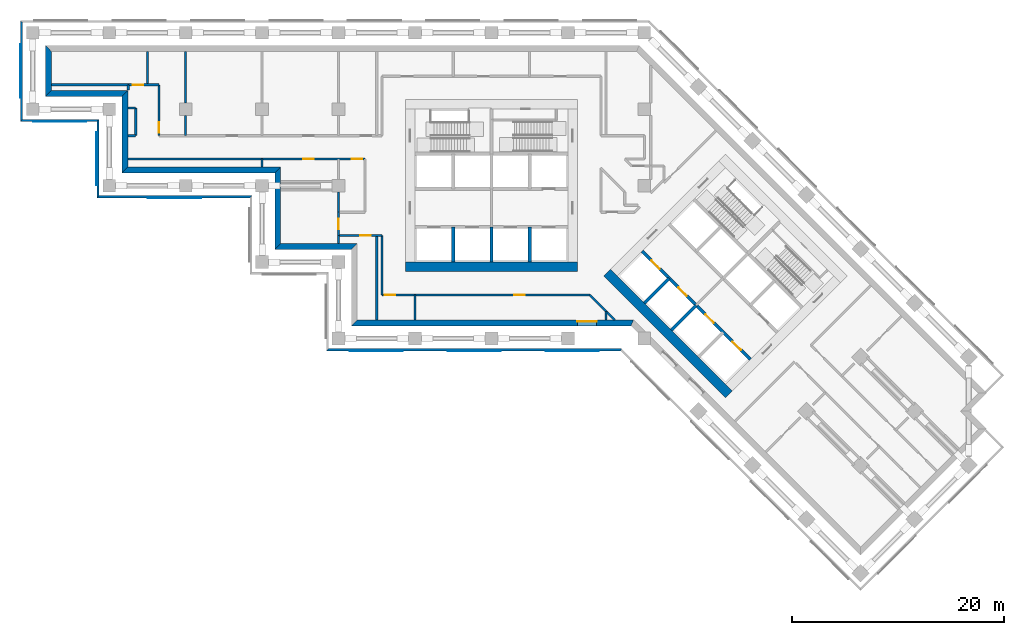
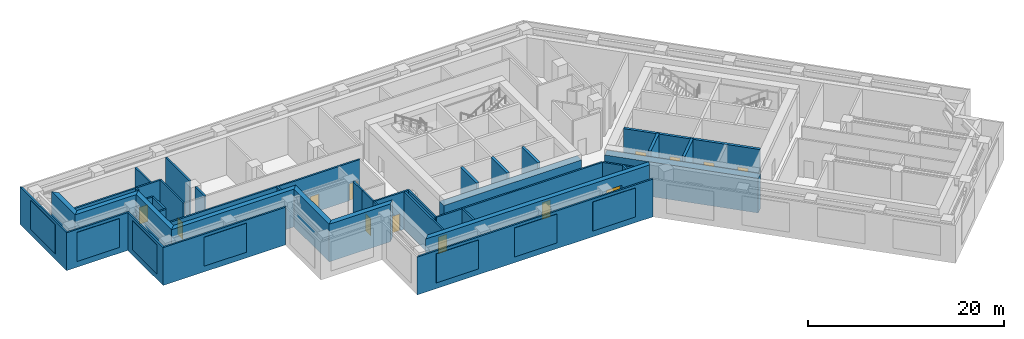
# One storey, part 3 of 8: 42 walls, 12 doors, 7 plates, 1 window, 13 openings.
"""IFC4 building model written with IfcOpenShell, lengths in metres."""

from ifc_helpers import new_model, si_unit, direction, frame, frame_2d, origin, place, context, subcontext, project, spatial, polyline, rectangle, outline, extrude, material, layer, layer_set, type_object, element, fill, aggregate, save


model = new_model("IFC4")

# Units and contexts
model_context = context("Model", 3, precision=1e-05, world=origin(), true_north=direction((0.0, 1.0)))
body_context = subcontext(model_context, "Body", "Model", "MODEL_VIEW")
ifc_project = project(units=[si_unit("LENGTHUNIT", "METRE"), si_unit("AREAUNIT", "SQUARE_METRE"), si_unit("VOLUMEUNIT", "CUBIC_METRE"), si_unit("PLANEANGLEUNIT", "RADIAN"), si_unit("MASSUNIT", "GRAM", prefix="KILO")], contexts=[model_context])

# Plate
ifc_material_1 = material(Name="Aluminium louvre", Category="aluminium")
ifc_layer_1 = layer(ifc_material_1, 0.05)
ifc_layer_set_1 = layer_set([ifc_layer_1], Name="Belt louvre panel 5000x3600")
plate_type = type_object("IfcPlateType", Name="Belt louvre panel 5000x3600", PredefinedType="SHEET", material=ifc_layer_set_1)
site_placement = place(None, origin())
building_placement = place(site_placement, origin())
storey_placement = place(building_placement, frame((0.0, 0.0, 72.0)))
plate_1_placement = place(storey_placement, frame((20.4, 70.9, 0.75), z_axis=(-1.0, 0.0, 0.0), x_axis=(0.0, -1.0, 0.0)))
plate_1 = element("IfcPlate", 1, at=plate_1_placement, type_object=plate_type, Name="Belt louvre panel L19 39.1", PredefinedType="SHEET", context=body_context, shape_type="SweptSolid", body=[
    extrude(outline(polyline([(0.0, 0.0), (5.0, 0.0), (5.0, 3.6), (0.0, 3.6), (0.0, 0.0)])), origin(), (0.0, 0.0, -1.0), 0.05),
])

plate_2_placement = place(storey_placement, frame((21.65, 63.6, 0.75), z_axis=(0.0, -1.0, 0.0), x_axis=(1.0, 0.0, 0.0)))
plate_2 = element("IfcPlate", 2, at=plate_2_placement, type_object=plate_type, Name="Belt louvre panel L19 43.1", PredefinedType="SHEET", context=body_context, shape_type="SweptSolid", body=[
    extrude(outline(polyline([(0.0, 0.0), (5.0, 0.0), (5.0, 3.6), (0.0, 3.6), (0.0, 0.0)])), origin(), (0.0, 0.0, -1.0), 0.05),
])

plate_3_placement = place(storey_placement, frame((27.6, 62.65, 0.75), z_axis=(-1.0, 0.0, 0.0), x_axis=(0.0, -1.0, 0.0)))
plate_3 = element("IfcPlate", 3, at=plate_3_placement, type_object=plate_type, Name="Belt louvre panel L19 47.1", PredefinedType="SHEET", context=body_context, shape_type="SweptSolid", body=[
    extrude(outline(polyline([(0.0, 0.0), (5.0, 0.0), (5.0, 3.6), (0.0, 3.6), (0.0, 0.0)])), origin(), (0.0, 0.0, -1.0), 0.05),
])

plate_4_placement = place(storey_placement, frame((32.45, 56.4, 0.75), z_axis=(0.0, -1.0, 0.0), x_axis=(1.0, 0.0, 0.0)))
plate_4 = element("IfcPlate", 4, at=plate_4_placement, type_object=plate_type, Name="Belt louvre panel L19 51.1", PredefinedType="SHEET", context=body_context, shape_type="SweptSolid", body=[
    extrude(outline(polyline([(0.0, 0.0), (5.0, 0.0), (5.0, 3.6), (0.0, 3.6), (0.0, 0.0)])), origin(), (0.0, 0.0, -1.0), 0.05),
])

plate_5_placement = place(storey_placement, frame((51.4613, 42.0, 0.75), z_axis=(0.0, -1.0, 0.0), x_axis=(1.0, 0.0, 0.0)))
plate_5 = element("IfcPlate", 5, at=plate_5_placement, type_object=plate_type, Name="Belt louvre panel L19 69.1", PredefinedType="SHEET", context=body_context, shape_type="SweptSolid", body=[
    extrude(outline(polyline([(0.0, 0.0), (5.0, 0.0), (5.0, 3.6), (0.0, 3.6), (0.0, 0.0)])), origin(), (0.0, 0.0, -1.0), 0.05),
])

plate_6_placement = place(storey_placement, frame((60.684, 42.0, 0.75), z_axis=(0.0, -1.0, 0.0), x_axis=(1.0, 0.0, 0.0)))
plate_6 = element("IfcPlate", 6, at=plate_6_placement, type_object=plate_type, Name="Belt louvre panel L19 70.2", PredefinedType="SHEET", context=body_context, shape_type="SweptSolid", body=[
    extrude(outline(polyline([(0.0, 0.0), (5.0, 0.0), (5.0, 3.6), (0.0, 3.6), (0.0, 0.0)])), origin(), (0.0, 0.0, -1.0), 0.05),
])

plate_7_placement = place(storey_placement, frame((69.9067, 42.0, 0.75), z_axis=(0.0, -1.0, 0.0), x_axis=(1.0, 0.0, 0.0)))
plate_7 = element("IfcPlate", 7, at=plate_7_placement, type_object=plate_type, Name="Belt louvre panel L19 71.3", PredefinedType="SHEET", context=body_context, shape_type="SweptSolid", body=[
    extrude(outline(polyline([(0.0, 0.0), (5.0, 0.0), (5.0, 3.6), (0.0, 3.6), (0.0, 0.0)])), origin(), (0.0, 0.0, -1.0), 0.05),
])

# Site, building, storey
site = spatial("IfcSite", under=ifc_project, at=site_placement, CompositionType="ELEMENT")
building = spatial("IfcBuilding", under=site, at=building_placement, Name="Windrow Commons", CompositionType="ELEMENT")
storey = spatial("IfcBuildingStorey", under=building, at=storey_placement, Name="L19", CompositionType="ELEMENT", Elevation=72.0)

# Wall
ifc_material_2 = material(Name="Concrete C40/50 precast screen panel", Category="concrete")
ifc_layer_2 = layer(ifc_material_2, 0.2)
ifc_layer_set_2 = layer_set([ifc_layer_2], Name="Belt screen wall 200")
wall_type_1 = type_object("IfcWallType", Name="Belt screen wall 200", PredefinedType="SOLIDWALL", material=ifc_layer_set_2)
wall_1_placement = place(storey_placement, frame((20.55, 73.05, 0.0), z_axis=(0.0, 0.0, 1.0), x_axis=(0.0, -1.0, 0.0)))
wall_1 = element("IfcWall", 8, at=wall_1_placement, inside=storey, type_object=wall_type_1, Name="Belt screen wall L19 39", PredefinedType="SOLIDWALL", context=body_context, shape_type="SweptSolid", body=[
    extrude(outline(polyline([(-0.1, -0.1), (9.4, -0.1), (9.2, 0.1), (0.1, 0.1), (-0.1, -0.1)])), origin(), (0.0, 0.0, 1.0), 4.7),
])

aggregate(wall_1, [plate_1])

wall_2_placement = place(storey_placement, frame((20.55, 63.75, 0.0), z_axis=(0.0, 0.0, 1.0), x_axis=(1.0, 0.0, 0.0)))
wall_2 = element("IfcWall", 9, at=wall_2_placement, inside=storey, type_object=wall_type_1, Name="Belt screen wall L19 43", PredefinedType="SOLIDWALL", context=body_context, shape_type="SweptSolid", body=[
    extrude(outline(polyline([(-0.1, -0.1), (7.1, -0.1), (7.3, 0.1), (0.1, 0.1), (-0.1, -0.1)])), origin(), (0.0, 0.0, 1.0), 4.7),
])

aggregate(wall_2, [plate_2])

wall_3_placement = place(storey_placement, frame((27.75, 63.75, 0.0), z_axis=(0.0, 0.0, 1.0), x_axis=(0.0, -1.0, 0.0)))
wall_3 = element("IfcWall", 10, at=wall_3_placement, inside=storey, type_object=wall_type_1, Name="Belt screen wall L19 47", PredefinedType="SOLIDWALL", context=body_context, shape_type="SweptSolid", body=[
    extrude(outline(polyline([(0.1, -0.1), (7.3, -0.1), (7.1, 0.1), (-0.1, 0.1), (0.1, -0.1)])), origin(), (0.0, 0.0, 1.0), 4.7),
])

aggregate(wall_3, [plate_3])

wall_4_placement = place(storey_placement, frame((27.75, 56.55, 0.0), z_axis=(0.0, 0.0, 1.0), x_axis=(1.0, 0.0, 0.0)))
wall_4 = element("IfcWall", 11, at=wall_4_placement, inside=storey, type_object=wall_type_1, Name="Belt screen wall L19 51", PredefinedType="SOLIDWALL", context=body_context, shape_type="SweptSolid", body=[
    extrude(outline(polyline([(-0.1, -0.1), (14.3, -0.1), (14.5, 0.1), (0.1, 0.1), (-0.1, -0.1)])), origin(), (0.0, 0.0, 1.0), 4.7),
])

aggregate(wall_4, [plate_4])

wall_5_placement = place(storey_placement, frame((49.35, 42.15, 0.0), z_axis=(0.0, 0.0, 1.0), x_axis=(1.0, 0.0, 0.0)))
wall_5 = element("IfcWall", 12, at=wall_5_placement, inside=storey, type_object=wall_type_1, Name="Belt screen wall L19 69", PredefinedType="SOLIDWALL", context=body_context, shape_type="SweptSolid", body=[
    extrude(outline(polyline([(-0.1, -0.1), (27.6266, -0.1), (27.7095, 0.1), (0.1, 0.1), (-0.1, -0.1)])), origin(), (0.0, 0.0, 1.0), 4.7),
])

aggregate(wall_5, [plate_5, plate_6, plate_7])

# Walls
ifc_material_3 = material(Name="Brick masonry, red clay brick", Category="masonry")
ifc_layer_3 = layer(ifc_material_3, 0.55)
ifc_layer_set_3 = layer_set([ifc_layer_3], Name="Brick facade wall 550")
wall_type_2 = type_object("IfcWallType", Name="Brick facade wall 550", PredefinedType="SOLIDWALL", material=ifc_layer_set_3)
wall_6_placement = place(storey_placement, frame((23.075, 70.525, 0.0), z_axis=(0.0, 0.0, 1.0), x_axis=(0.0, -1.0, 0.0)))
element("IfcWall", 13, at=wall_6_placement, inside=storey, type_object=wall_type_2, Name="Brick facade wall L19 5", PredefinedType="SOLIDWALL", context=body_context, shape_type="SweptSolid", body=[
    extrude(outline(polyline([(-0.275, -0.275), (4.525, -0.275), (3.975, 0.275), (0.275, 0.275), (-0.275, -0.275)])), origin(), (0.0, 0.0, 1.0), 4.7),
])
wall_7_placement = place(storey_placement, frame((23.075, 66.275, 0.0), z_axis=(0.0, 0.0, 1.0), x_axis=(1.0, 0.0, 0.0)))
element("IfcWall", 14, at=wall_7_placement, inside=storey, type_object=wall_type_2, Name="Brick facade wall L19 6", PredefinedType="SOLIDWALL", context=body_context, shape_type="SweptSolid", body=[
    extrude(outline(polyline([(-0.275, -0.275), (6.925, -0.275), (7.475, 0.275), (0.275, 0.275), (-0.275, -0.275)])), origin(), (0.0, 0.0, 1.0), 4.7),
])
wall_8_placement = place(storey_placement, frame((30.275, 66.275, 0.0), z_axis=(0.0, 0.0, 1.0), x_axis=(0.0, -1.0, 0.0)))
element("IfcWall", 15, at=wall_8_placement, inside=storey, type_object=wall_type_2, Name="Brick facade wall L19 7", PredefinedType="SOLIDWALL", context=body_context, shape_type="SweptSolid", body=[
    extrude(outline(polyline([(0.275, -0.275), (7.475, -0.275), (6.925, 0.275), (-0.275, 0.275), (0.275, -0.275)])), origin(), (0.0, 0.0, 1.0), 4.7),
])
wall_9_placement = place(storey_placement, frame((30.275, 59.075, 0.0), z_axis=(0.0, 0.0, 1.0), x_axis=(1.0, 0.0, 0.0)))
element("IfcWall", 16, at=wall_9_placement, inside=storey, type_object=wall_type_2, Name="Brick facade wall L19 8", PredefinedType="SOLIDWALL", context=body_context, shape_type="SweptSolid", body=[
    extrude(outline(polyline([(-0.275, -0.275), (14.125, -0.275), (14.675, 0.275), (0.275, 0.275), (-0.275, -0.275)])), origin(), (0.0, 0.0, 1.0), 4.7),
])
wall_10_placement = place(storey_placement, frame((44.675, 59.075, 0.0), z_axis=(0.0, 0.0, 1.0), x_axis=(0.0, -1.0, 0.0)))
element("IfcWall", 17, at=wall_10_placement, inside=storey, type_object=wall_type_2, Name="Brick facade wall L19 9", PredefinedType="SOLIDWALL", context=body_context, shape_type="SweptSolid", body=[
    extrude(outline(polyline([(0.275, -0.275), (7.475, -0.275), (6.925, 0.275), (-0.275, 0.275), (0.275, -0.275)])), origin(), (0.0, 0.0, 1.0), 4.7),
])
wall_11_placement = place(storey_placement, frame((44.675, 51.875, 0.0), z_axis=(0.0, 0.0, 1.0), x_axis=(1.0, 0.0, 0.0)))
element("IfcWall", 18, at=wall_11_placement, inside=storey, type_object=wall_type_2, Name="Brick facade wall L19 10", PredefinedType="SOLIDWALL", context=body_context, shape_type="SweptSolid", body=[
    extrude(outline(polyline([(-0.275, -0.275), (6.925, -0.275), (7.475, 0.275), (0.275, 0.275), (-0.275, -0.275)])), origin(), (0.0, 0.0, 1.0), 4.7),
])

# Wall, opening, window
wall_12_placement = place(storey_placement, frame((51.875, 44.675, 0.0), z_axis=(0.0, 0.0, 1.0), x_axis=(1.0, 0.0, 0.0)))
wall_12 = element("IfcWall", 19, at=wall_12_placement, inside=storey, type_object=wall_type_2, Name="Brick facade wall L19 12", PredefinedType="SOLIDWALL", context=body_context, shape_type="SweptSolid", body=[
    extrude(outline(polyline([(-0.275, -0.275), (26.075, -0.275), (26.3028, 0.275), (0.275, 0.275), (-0.275, -0.275)])), origin(), (0.0, 0.0, 1.0), 4.7),
])
opening_1_placement = place(wall_12_placement, frame((21.025, 0.0, 0.9)))
opening_1 = element("IfcOpeningElement", 20, at=opening_1_placement, cuts=wall_12, Name="Opening LV1", PredefinedType="OPENING", context=body_context, shape_type="SweptSolid", body=[
    extrude(rectangle(XDim=1.8, YDim=2.4, at=frame_2d((0.9, 1.2))), frame((0.0, 0.285, 0.0), z_axis=(0.0, -1.0, 0.0), x_axis=(1.0, 0.0, 0.0)), (0.0, 0.0, 1.0), 0.57),
])
ifc_material_4 = material(Name="Aluminium 6063-T6 anodised louvre", Category="aluminium")
window_type = type_object("IfcWindowType", Name="Plant louvre 1800x2400", PartitioningType="SINGLE_PANEL", PredefinedType="WINDOW", material=ifc_material_4)
window_placement = place(opening_1_placement, origin())
window = element("IfcWindow", 21, at=window_placement, inside=storey, type_object=window_type, Name="Louvre L19 12.1", OverallHeight=2.4, OverallWidth=1.8, PartitioningType="SINGLE_PANEL", PredefinedType="WINDOW", context=body_context, shape_type="SweptSolid", body=[
    extrude(rectangle(XDim=1.8, YDim=2.4, at=frame_2d((0.9, 1.2))), frame((0.0, 0.155, 0.0), z_axis=(0.0, -1.0, 0.0), x_axis=(1.0, 0.0, 0.0)), (0.0, 0.0, 1.0), 0.06),
])
fill(opening_1, window)

# Wall, openings, doors
ifc_material_5 = material(Name="Blockwork partition", Category="masonry")
ifc_layer_4 = layer(ifc_material_5, 0.2)
ifc_layer_set_4 = layer_set([ifc_layer_4], Name="IW-CORRIDOR-200")
wall_type_3 = type_object("IfcWallType", Name="IW-CORRIDOR-200", PredefinedType="PARTITIONING", material=ifc_layer_set_4)
wall_13_placement = place(storey_placement, frame((30.55, 60.1, 0.0), z_axis=(0.0, 0.0, 1.0), x_axis=(1.0, 0.0, 0.0)))
wall_13 = element("IfcWall", 22, at=wall_13_placement, inside=storey, type_object=wall_type_3, Name="W-L19-W000", PredefinedType="PARTITIONING", context=body_context, shape_type="SweptSolid", body=[
    extrude(rectangle(XDim=22.35, YDim=0.2, at=frame_2d((11.175, 0.0))), origin(), (0.0, 0.0, 1.0), 4.7),
])
opening_2_placement = place(wall_13_placement, frame((16.5125, 0.0, 0.0)))
opening_2 = element("IfcOpeningElement", 23, at=opening_2_placement, cuts=wall_13, Name="Opening D410F", PredefinedType="OPENING", context=body_context, shape_type="SweptSolid", body=[
    extrude(rectangle(XDim=1.0, YDim=2.1, at=frame_2d((0.5, 1.05))), frame((0.0, 0.11, 0.0), z_axis=(0.0, -1.0, 0.0), x_axis=(1.0, 0.0, 0.0)), (0.0, 0.0, 1.0), 0.22),
])
opening_3_placement = place(wall_13_placement, frame((21.0971, 0.0, 0.0)))
opening_3 = element("IfcOpeningElement", 24, at=opening_3_placement, cuts=wall_13, Name="Opening D410F", PredefinedType="OPENING", context=body_context, shape_type="SweptSolid", body=[
    extrude(rectangle(XDim=1.0, YDim=2.1, at=frame_2d((0.5, 1.05))), frame((0.0, 0.11, 0.0), z_axis=(0.0, -1.0, 0.0), x_axis=(1.0, 0.0, 0.0)), (0.0, 0.0, 1.0), 0.22),
])
ifc_material_6 = material(Name="Timber door leaf", Category="wood")
door_type_1 = type_object("IfcDoorType", Name="DT-SERVICE-1000", OperationType="SINGLE_SWING_LEFT", PredefinedType="DOOR", material=ifc_material_6)
door_1_placement = place(opening_2_placement, origin())
door_1 = element("IfcDoor", 25, at=door_1_placement, inside=storey, type_object=door_type_1, Name="D-L19-D000", OperationType="SINGLE_SWING_LEFT", OverallHeight=2.1, OverallWidth=1.0, PredefinedType="DOOR", context=body_context, shape_type="SweptSolid", body=[
    extrude(rectangle(XDim=1.0, YDim=2.1, at=frame_2d((0.5, 1.05))), frame((0.0, 0.025, 0.0), z_axis=(0.0, -1.0, 0.0), x_axis=(1.0, 0.0, 0.0)), (0.0, 0.0, 1.0), 0.05),
])
fill(opening_2, door_1)
door_2_placement = place(opening_3_placement, origin())
door_2 = element("IfcDoor", 26, at=door_2_placement, inside=storey, type_object=door_type_1, Name="D-L19-D001", OperationType="SINGLE_SWING_LEFT", OverallHeight=2.1, OverallWidth=1.0, PredefinedType="DOOR", context=body_context, shape_type="SweptSolid", body=[
    extrude(rectangle(XDim=1.0, YDim=2.1, at=frame_2d((0.5, 1.05))), frame((0.0, 0.025, 0.0), z_axis=(0.0, -1.0, 0.0), x_axis=(1.0, 0.0, 0.0)), (0.0, 0.0, 1.0), 0.05),
])
fill(opening_3, door_2)

wall_14_placement = place(storey_placement, frame((54.5, 47.3, 0.0), z_axis=(0.0, 0.0, 1.0), x_axis=(1.0, 0.0, 0.0)))
wall_14 = element("IfcWall", 27, at=wall_14_placement, inside=storey, type_object=wall_type_3, Name="W-L19-W003", PredefinedType="PARTITIONING", context=body_context, shape_type="SweptSolid", body=[
    extrude(rectangle(XDim=19.56, YDim=0.2, at=frame_2d((9.78, 0.0))), origin(), (0.0, 0.0, 1.0), 4.7),
])
opening_4_placement = place(wall_14_placement, frame((0.2434, 0.0, 0.0)))
opening_4 = element("IfcOpeningElement", 28, at=opening_4_placement, cuts=wall_14, Name="Opening D410F", PredefinedType="OPENING", context=body_context, shape_type="SweptSolid", body=[
    extrude(rectangle(XDim=1.0, YDim=2.1, at=frame_2d((0.5, 1.05))), frame((0.0, 0.11, 0.0), z_axis=(0.0, -1.0, 0.0), x_axis=(1.0, 0.0, 0.0)), (0.0, 0.0, 1.0), 0.22),
])
opening_5_placement = place(wall_14_placement, frame((12.4573, 0.0, 0.0)))
opening_5 = element("IfcOpeningElement", 29, at=opening_5_placement, cuts=wall_14, Name="Opening D410F", PredefinedType="OPENING", context=body_context, shape_type="SweptSolid", body=[
    extrude(rectangle(XDim=1.0, YDim=2.1, at=frame_2d((0.5, 1.05))), frame((0.0, 0.11, 0.0), z_axis=(0.0, -1.0, 0.0), x_axis=(1.0, 0.0, 0.0)), (0.0, 0.0, 1.0), 0.22),
])
door_3_placement = place(opening_4_placement, origin())
door_3 = element("IfcDoor", 30, at=door_3_placement, inside=storey, type_object=door_type_1, Name="D-L19-D003", OperationType="SINGLE_SWING_RIGHT", OverallHeight=2.1, OverallWidth=1.0, PredefinedType="DOOR", context=body_context, shape_type="SweptSolid", body=[
    extrude(rectangle(XDim=1.0, YDim=2.1, at=frame_2d((0.5, 1.05))), frame((0.0, 0.025, 0.0), z_axis=(0.0, -1.0, 0.0), x_axis=(1.0, 0.0, 0.0)), (0.0, 0.0, 1.0), 0.05),
])
fill(opening_4, door_3)
door_4_placement = place(opening_5_placement, origin())
door_4 = element("IfcDoor", 31, at=door_4_placement, inside=storey, type_object=door_type_1, Name="D-L19-D004", OperationType="SINGLE_SWING_LEFT", OverallHeight=2.1, OverallWidth=1.0, PredefinedType="DOOR", context=body_context, shape_type="SweptSolid", body=[
    extrude(rectangle(XDim=1.0, YDim=2.1, at=frame_2d((0.5, 1.05))), frame((0.0, 0.025, 0.0), z_axis=(0.0, -1.0, 0.0), x_axis=(1.0, 0.0, 0.0)), (0.0, 0.0, 1.0), 0.05),
])
fill(opening_5, door_4)

# Wall
wall_15_placement = place(storey_placement, frame((54.5, 47.3, 0.0), z_axis=(0.0, 0.0, 1.0), x_axis=(0.0, 1.0, 0.0)))
element("IfcWall", 32, at=wall_15_placement, inside=storey, type_object=wall_type_3, Name="W-L19-W015", PredefinedType="PARTITIONING", context=body_context, shape_type="SweptSolid", body=[
    extrude(rectangle(XDim=5.6, YDim=0.2, at=frame_2d((2.8, 0.0))), origin(), (0.0, 0.0, 1.0), 4.7),
])

# Wall, opening, door
wall_16_placement = place(storey_placement, frame((33.5, 62.302, 0.0), z_axis=(0.0, 0.0, 1.0), x_axis=(0.0, 1.0, 0.0)))
wall_16 = element("IfcWall", 33, at=wall_16_placement, inside=storey, type_object=wall_type_3, Name="W-L19-W026", PredefinedType="PARTITIONING", context=body_context, shape_type="SweptSolid", body=[
    extrude(rectangle(XDim=4.798, YDim=0.2, at=frame_2d((2.399, 0.0))), origin(), (0.0, 0.0, 1.0), 4.7),
])
opening_6_placement = place(wall_16_placement, frame((0.2621, 0.0, 0.0)))
opening_6 = element("IfcOpeningElement", 34, at=opening_6_placement, cuts=wall_16, Name="Opening D410F", PredefinedType="OPENING", context=body_context, shape_type="SweptSolid", body=[
    extrude(rectangle(XDim=1.0, YDim=2.1, at=frame_2d((0.5, 1.05))), frame((0.0, 0.11, 0.0), z_axis=(0.0, -1.0, 0.0), x_axis=(1.0, 0.0, 0.0)), (0.0, 0.0, 1.0), 0.22),
])
door_5_placement = place(opening_6_placement, origin())
door_5 = element("IfcDoor", 35, at=door_5_placement, inside=storey, type_object=door_type_1, Name="D-L19-D007", OperationType="SINGLE_SWING_LEFT", OverallHeight=2.1, OverallWidth=1.0, PredefinedType="DOOR", context=body_context, shape_type="SweptSolid", body=[
    extrude(rectangle(XDim=1.0, YDim=2.1, at=frame_2d((0.5, 1.05))), frame((0.0, 0.025, 0.0), z_axis=(0.0, -1.0, 0.0), x_axis=(1.0, 0.0, 0.0)), (0.0, 0.0, 1.0), 0.05),
])
fill(opening_6, door_5)

wall_17_placement = place(storey_placement, frame((50.4, 52.9, 0.0), z_axis=(0.0, 0.0, 1.0), x_axis=(1.0, 0.0, 0.0)))
wall_17 = element("IfcWall", 36, at=wall_17_placement, inside=storey, type_object=wall_type_3, Name="W-L19-W031", PredefinedType="PARTITIONING", context=body_context, shape_type="SweptSolid", body=[
    extrude(rectangle(XDim=4.1, YDim=0.2, at=frame_2d((2.05, 0.0))), origin(), (0.0, 0.0, 1.0), 4.7),
])
opening_7_placement = place(wall_17_placement, frame((2.0325, 0.0, 0.0)))
opening_7 = element("IfcOpeningElement", 37, at=opening_7_placement, cuts=wall_17, Name="Opening D410F", PredefinedType="OPENING", context=body_context, shape_type="SweptSolid", body=[
    extrude(rectangle(XDim=1.0, YDim=2.1, at=frame_2d((0.5, 1.05))), frame((0.0, 0.11, 0.0), z_axis=(0.0, -1.0, 0.0), x_axis=(1.0, 0.0, 0.0)), (0.0, 0.0, 1.0), 0.22),
])
door_6_placement = place(opening_7_placement, origin())
door_6 = element("IfcDoor", 38, at=door_6_placement, inside=storey, type_object=door_type_1, Name="D-L19-D002", OperationType="SINGLE_SWING_LEFT", OverallHeight=2.1, OverallWidth=1.0, PredefinedType="DOOR", context=body_context, shape_type="SweptSolid", body=[
    extrude(rectangle(XDim=1.0, YDim=2.1, at=frame_2d((0.5, 1.05))), frame((0.0, 0.025, 0.0), z_axis=(0.0, -1.0, 0.0), x_axis=(1.0, 0.0, 0.0)), (0.0, 0.0, 1.0), 0.05),
])
fill(opening_7, door_6)

# Wall
wall_18_placement = place(storey_placement, frame((74.0568, 47.2968, 0.0), z_axis=(0.0, 0.0, 1.0), x_axis=(0.707121846, -0.707091716, 0.0)))
element("IfcWall", 39, at=wall_18_placement, inside=storey, type_object=wall_type_3, Name="W-L19-W038", PredefinedType="PARTITIONING", context=body_context, shape_type="SweptSolid", body=[
    extrude(rectangle(XDim=3.3189, YDim=0.2, at=frame_2d((1.6595, 0.0))), origin(), (0.0, 0.0, 1.0), 4.7),
])

# Wall, opening, door
wall_19_placement = place(storey_placement, frame((30.6, 67.1, 0.0), z_axis=(0.0, 0.0, 1.0), x_axis=(1.0, 0.0, 0.0)))
wall_19 = element("IfcWall", 40, at=wall_19_placement, inside=storey, type_object=wall_type_3, Name="W-L19-W045", PredefinedType="PARTITIONING", context=body_context, shape_type="SweptSolid", body=[
    extrude(rectangle(XDim=2.9, YDim=0.2, at=frame_2d((1.45, 0.0))), origin(), (0.0, 0.0, 1.0), 4.7),
])
opening_8_placement = place(wall_19_placement, frame((0.4, 0.0, 0.0)))
opening_8 = element("IfcOpeningElement", 41, at=opening_8_placement, cuts=wall_19, Name="Opening D410F", PredefinedType="OPENING", context=body_context, shape_type="SweptSolid", body=[
    extrude(rectangle(XDim=1.0, YDim=2.1, at=frame_2d((0.5, 1.05))), frame((0.0, 0.11, 0.0), z_axis=(0.0, -1.0, 0.0), x_axis=(1.0, 0.0, 0.0)), (0.0, 0.0, 1.0), 0.22),
])
door_7_placement = place(opening_8_placement, origin())
door_7 = element("IfcDoor", 42, at=door_7_placement, inside=storey, type_object=door_type_1, Name="D-L19-D006", OperationType="SINGLE_SWING_RIGHT", OverallHeight=2.1, OverallWidth=1.0, PredefinedType="DOOR", context=body_context, shape_type="SweptSolid", body=[
    extrude(rectangle(XDim=1.0, YDim=2.1, at=frame_2d((0.5, 1.05))), frame((0.0, 0.025, 0.0), z_axis=(0.0, -1.0, 0.0), x_axis=(1.0, 0.0, 0.0)), (0.0, 0.0, 1.0), 0.05),
])
fill(opening_8, door_7)

# Wall
wall_20_placement = place(storey_placement, frame((31.3, 62.302, 0.0), z_axis=(0.0, 0.0, 1.0), x_axis=(0.0, 1.0, 0.0)))
element("IfcWall", 43, at=wall_20_placement, inside=storey, type_object=wall_type_3, Name="W-L19-W046", PredefinedType="PARTITIONING", context=body_context, shape_type="SweptSolid", body=[
    extrude(rectangle(XDim=2.598, YDim=0.2, at=frame_2d((1.299, 0.0))), origin(), (0.0, 0.0, 1.0), 4.7),
])

# Wall, opening, door
wall_21_placement = place(storey_placement, frame((50.4, 52.9, 0.0), z_axis=(0.0, 0.0, 1.0), x_axis=(0.0, 1.0, 0.0)))
wall_21 = element("IfcWall", 44, at=wall_21_placement, inside=storey, type_object=wall_type_3, Name="W-L19-W051", PredefinedType="PARTITIONING", context=body_context, shape_type="SweptSolid", body=[
    extrude(rectangle(XDim=2.2, YDim=0.2, at=frame_2d((1.1, 0.0))), origin(), (0.0, 0.0, 1.0), 4.7),
])
opening_9_placement = place(wall_21_placement, frame((0.6, 0.0, 0.0)))
opening_9 = element("IfcOpeningElement", 45, at=opening_9_placement, cuts=wall_21, Name="Opening D310N", PredefinedType="OPENING", context=body_context, shape_type="SweptSolid", body=[
    extrude(rectangle(XDim=1.0, YDim=2.1, at=frame_2d((0.5, 1.05))), frame((0.0, 0.11, 0.0), z_axis=(0.0, -1.0, 0.0), x_axis=(1.0, 0.0, 0.0)), (0.0, 0.0, 1.0), 0.22),
])
ifc_material_7 = material(Name="Timber door leaf", Category="wood")
door_type_2 = type_object("IfcDoorType", Name="DT-AMENITY-1000", OperationType="SINGLE_SWING_LEFT", PredefinedType="DOOR", material=ifc_material_7)
door_8_placement = place(opening_9_placement, origin())
door_8 = element("IfcDoor", 46, at=door_8_placement, inside=storey, type_object=door_type_2, Name="D-L19-DX01", OperationType="SINGLE_SWING_LEFT", OverallHeight=2.1, OverallWidth=1.0, PredefinedType="DOOR", context=body_context, shape_type="SweptSolid", body=[
    extrude(rectangle(XDim=1.0, YDim=2.1, at=frame_2d((0.5, 1.05))), frame((0.0, 0.025, 0.0), z_axis=(0.0, -1.0, 0.0), x_axis=(1.0, 0.0, 0.0)), (0.0, 0.0, 1.0), 0.05),
])
fill(opening_9, door_8)

# Walls
for number, where, z_axis, x_axis, name in (
    (47, (30.55, 62.3, 0.0), (0.0, 0.0, 1.0), (1.0, 0.0, 0.0), "W-L19-W079"),
    (48, (30.55, 64.9, 0.0), (0.0, 0.0, 1.0), (1.0, 0.0, 0.0), "W-L19-W080"),
):
    element("IfcWall", number, at=place(storey_placement, frame(where, z_axis=z_axis, x_axis=x_axis)), inside=storey, type_object=wall_type_3, Name=name, PredefinedType="PARTITIONING", context=body_context, shape_type="SweptSolid", body=[
        extrude(rectangle(XDim=0.75, YDim=0.2, at=frame_2d((0.375, 0.0))), origin(), (0.0, 0.0, 1.0), 4.7),
    ])
wall_22_placement = place(storey_placement, frame((30.6, 66.612, 0.0), z_axis=(0.0, 0.0, 1.0), x_axis=(0.0, 1.0, 0.0)))
element("IfcWall", 49, at=wall_22_placement, inside=storey, type_object=wall_type_3, Name="W-L19-W082", PredefinedType="PARTITIONING", context=body_context, shape_type="SweptSolid", body=[
    extrude(rectangle(XDim=0.488, YDim=0.2, at=frame_2d((0.244, 0.0))), origin(), (0.0, 0.0, 1.0), 4.7),
])
ifc_material_8 = material(Name="Blockwork partition", Category="masonry")
ifc_layer_5 = layer(ifc_material_8, 0.2)
ifc_layer_set_5 = layer_set([ifc_layer_5], Name="IW-PARTY-200")
wall_type_4 = type_object("IfcWallType", Name="IW-PARTY-200", PredefinedType="PARTITIONING", material=ifc_layer_set_5)
wall_23_placement = place(storey_placement, frame((54.0, 44.95, 0.0), z_axis=(0.0, 0.0, 1.0), x_axis=(0.0, 1.0, 0.0)))
element("IfcWall", 50, at=wall_23_placement, inside=storey, type_object=wall_type_4, Name="W-L19-W006", PredefinedType="PARTITIONING", context=body_context, shape_type="SweptSolid", body=[
    extrude(rectangle(XDim=7.95, YDim=0.2, at=frame_2d((3.975, 0.0))), origin(), (0.0, 0.0, 1.0), 4.7),
])
wall_24_placement = place(storey_placement, frame((23.35, 67.1, 0.0), z_axis=(0.0, 0.0, 1.0), x_axis=(1.0, 0.0, 0.0)))
element("IfcWall", 51, at=wall_24_placement, inside=storey, type_object=wall_type_4, Name="W-L19-W010", PredefinedType="PARTITIONING", context=body_context, shape_type="SweptSolid", body=[
    extrude(rectangle(XDim=7.25, YDim=0.2, at=frame_2d((3.625, 0.0))), origin(), (0.0, 0.0, 1.0), 4.7),
])
wall_25_placement = place(storey_placement, frame((36.0, 65.4, 0.0), z_axis=(0.0, 0.0, 1.0), x_axis=(0.0, 1.0, 0.0)))
element("IfcWall", 52, at=wall_25_placement, inside=storey, type_object=wall_type_4, Name="W-L19-W023", PredefinedType="PARTITIONING", context=body_context, shape_type="SweptSolid", body=[
    extrude(rectangle(XDim=4.85, YDim=0.2, at=frame_2d((2.425, 0.0))), origin(), (0.0, 0.0, 1.0), 4.7),
])
wall_26_placement = place(storey_placement, frame((32.4, 67.1, 0.0), z_axis=(0.0, 0.0, 1.0), x_axis=(0.0, 1.0, 0.0)))
element("IfcWall", 53, at=wall_26_placement, inside=storey, type_object=wall_type_4, Name="W-L19-W044", PredefinedType="PARTITIONING", context=body_context, shape_type="SweptSolid", body=[
    extrude(rectangle(XDim=3.15, YDim=0.2, at=frame_2d((1.575, 0.0))), origin(), (0.0, 0.0, 1.0), 4.7),
])
wall_27_placement = place(storey_placement, frame((57.6, 44.95, 0.0), z_axis=(0.0, 0.0, 1.0), x_axis=(0.0, 1.0, 0.0)))
element("IfcWall", 54, at=wall_27_placement, inside=storey, type_object=wall_type_4, Name="W-L19-W048", PredefinedType="PARTITIONING", context=body_context, shape_type="SweptSolid", body=[
    extrude(rectangle(XDim=2.35, YDim=0.2, at=frame_2d((1.175, 0.0))), origin(), (0.0, 0.0, 1.0), 4.7),
])
for number, where, z_axis, x_axis, name in (
    (55, (36.0, 62.3, 0.0), (0.0, 0.0, 1.0), (0.0, 1.0, 0.0), "W-L19-W054"),
    (56, (50.4, 55.1, 0.0), (0.0, 0.0, 1.0), (0.0, 1.0, 0.0), "W-L19-W057"),
):
    element("IfcWall", number, at=place(storey_placement, frame(where, z_axis=z_axis, x_axis=x_axis)), inside=storey, type_object=wall_type_4, Name=name, PredefinedType="PARTITIONING", context=body_context, shape_type="SweptSolid", body=[
        extrude(rectangle(XDim=1.9, YDim=0.2, at=frame_2d((0.95, 0.0))), origin(), (0.0, 0.0, 1.0), 4.7),
    ])
wall_28_placement = place(storey_placement, frame((75.6, 44.95, 0.0), z_axis=(0.0, 0.0, 1.0), x_axis=(0.0, 1.0, 0.0)))
element("IfcWall", 57, at=wall_28_placement, inside=storey, type_object=wall_type_4, Name="W-L19-W076", PredefinedType="PARTITIONING", context=body_context, shape_type="SweptSolid", body=[
    extrude(rectangle(XDim=0.81, YDim=0.2, at=frame_2d((0.405, 0.0))), origin(), (0.0, 0.0, 1.0), 4.7),
])
for number, where, z_axis, x_axis, name in (
    (58, (43.2, 59.35, 0.0), (0.0, 0.0, 1.0), (0.0, 1.0, 0.0), "W-L19-W078"),
    (59, (50.4, 52.15, 0.0), (0.0, 0.0, 1.0), (0.0, 1.0, 0.0), "W-L19-W081"),
):
    element("IfcWall", number, at=place(storey_placement, frame(where, z_axis=z_axis, x_axis=x_axis)), inside=storey, type_object=wall_type_4, Name=name, PredefinedType="PARTITIONING", context=body_context, shape_type="SweptSolid", body=[
        extrude(rectangle(XDim=0.75, YDim=0.2, at=frame_2d((0.375, 0.0))), origin(), (0.0, 0.0, 1.0), 4.7),
    ])
ifc_material_9 = material(Name="Concrete C60/75", Category="concrete")
ifc_layer_6 = layer(ifc_material_9, 0.9)
ifc_layer_set_6 = layer_set([ifc_layer_6], Name="RC CORE WALL 900 C60/75")
wall_type_5 = type_object("IfcWallType", Name="RC CORE WALL 900 C60/75", PredefinedType="SHEAR", material=ifc_layer_set_6)
for number, where, z_axis, x_axis, name in (
    (60, (56.7, 49.95, -0.3), (0.0, 0.0, 1.0), (1.0, 0.0, 0.0), "Core A wall outer-S"),
    (61, (75.6998, 49.4079, -0.3), (0.0, 0.0, 1.0), (0.7071098676, -0.7071036948, 0.0), "Core B wall outer-S"),
):
    element("IfcWall", number, at=place(storey_placement, frame(where, z_axis=z_axis, x_axis=x_axis)), inside=storey, type_object=wall_type_5, Name=name, PredefinedType="SHEAR", context=body_context, shape_type="SweptSolid", body=[
        extrude(rectangle(XDim=16.2, YDim=0.9, at=frame_2d((8.1, 0.0))), origin(), (0.0, 0.0, 1.0), 4.3),
    ])
ifc_material_10 = material(Name="Concrete C60/75", Category="concrete")
ifc_layer_7 = layer(ifc_material_10, 0.3)
ifc_layer_set_7 = layer_set([ifc_layer_7], Name="RC SHAFT WALL 300 C60/75")
wall_type_6 = type_object("IfcWallType", Name="RC SHAFT WALL 300 C60/75", PredefinedType="SOLIDWALL", material=ifc_layer_set_7)
for number, where, z_axis, x_axis, name in (
    (62, (61.2, 50.4, 0.0), (0.0, 0.0, 1.0), (0.0, 1.0, 0.0), "Core A wall shaft-S1"),
    (63, (64.8, 50.4, 0.0), (0.0, 0.0, 1.0), (0.0, 1.0, 0.0), "Core A wall shaft-S2"),
    (64, (68.4, 50.4, 0.0), (0.0, 0.0, 1.0), (0.0, 1.0, 0.0), "Core A wall shaft-S3"),
    (65, (79.2, 46.5442, 0.0), (0.0, 0.0, 1.0), (0.7071219326, 0.7070916295, 0.0), "Core B wall shaft-S1"),
):
    element("IfcWall", number, at=place(storey_placement, frame(where, z_axis=z_axis, x_axis=x_axis)), inside=storey, type_object=wall_type_6, Name=name, PredefinedType="SOLIDWALL", context=body_context, shape_type="SweptSolid", body=[
        extrude(rectangle(XDim=3.3, YDim=0.3, at=frame_2d((1.65, 0.0))), origin(), (0.0, 0.0, 1.0), 4.7),
    ])
wall_29_placement = place(storey_placement, frame((81.7456, 43.9986, 0.0), z_axis=(0.0, 0.0, 1.0), x_axis=(0.7071067812, 0.7071067812, 0.0)))
element("IfcWall", 66, at=wall_29_placement, inside=storey, type_object=wall_type_6, Name="Core B wall shaft-S2", PredefinedType="SOLIDWALL", context=body_context, shape_type="SweptSolid", body=[
    extrude(rectangle(XDim=3.2999, YDim=0.3, at=frame_2d((1.65, 0.0))), origin(), (0.0, 0.0, 1.0), 4.7),
])

# Wall, openings, doors
wall_30_placement = place(storey_placement, frame((78.9879, 51.4232, 0.0), z_axis=(0.0, 0.0, 1.0), x_axis=(0.7071067812, -0.7071067812, 0.0)))
wall_30 = element("IfcWall", 67, at=wall_30_placement, inside=storey, type_object=wall_type_6, Name="Core B wall lobby-S", PredefinedType="SOLIDWALL", context=body_context, shape_type="SweptSolid", body=[
    extrude(rectangle(XDim=14.3999, YDim=0.3, at=frame_2d((7.2, 0.0))), origin(), (0.0, 0.0, 1.0), 4.7),
])
opening_10_placement = place(wall_30_placement, frame((1.25, 0.0, 0.0)))
opening_10 = element("IfcOpeningElement", 68, at=opening_10_placement, cuts=wall_30, Name="Opening LD", PredefinedType="OPENING", context=body_context, shape_type="SweptSolid", body=[
    extrude(rectangle(XDim=1.1, YDim=2.1, at=frame_2d((0.55, 1.05))), frame((0.0, 0.16, 0.0), z_axis=(0.0, -1.0, 0.0), x_axis=(1.0, 0.0, 0.0)), (0.0, 0.0, 1.0), 0.32),
])
opening_11_placement = place(wall_30_placement, frame((4.85, 0.0, 0.0)))
opening_11 = element("IfcOpeningElement", 69, at=opening_11_placement, cuts=wall_30, Name="Opening LD", PredefinedType="OPENING", context=body_context, shape_type="SweptSolid", body=[
    extrude(rectangle(XDim=1.1, YDim=2.1, at=frame_2d((0.55, 1.05))), frame((0.0, 0.16, 0.0), z_axis=(0.0, -1.0, 0.0), x_axis=(1.0, 0.0, 0.0)), (0.0, 0.0, 1.0), 0.32),
])
opening_12_placement = place(wall_30_placement, frame((8.45, 0.0, 0.0)))
opening_12 = element("IfcOpeningElement", 70, at=opening_12_placement, cuts=wall_30, Name="Opening LD", PredefinedType="OPENING", context=body_context, shape_type="SweptSolid", body=[
    extrude(rectangle(XDim=1.1, YDim=2.1, at=frame_2d((0.55, 1.05))), frame((0.0, 0.16, 0.0), z_axis=(0.0, -1.0, 0.0), x_axis=(1.0, 0.0, 0.0)), (0.0, 0.0, 1.0), 0.32),
])
opening_13_placement = place(wall_30_placement, frame((12.05, 0.0, 0.0)))
opening_13 = element("IfcOpeningElement", 71, at=opening_13_placement, cuts=wall_30, Name="Opening LD", PredefinedType="OPENING", context=body_context, shape_type="SweptSolid", body=[
    extrude(rectangle(XDim=1.1, YDim=2.1, at=frame_2d((0.55, 1.05))), frame((0.0, 0.16, 0.0), z_axis=(0.0, -1.0, 0.0), x_axis=(1.0, 0.0, 0.0)), (0.0, 0.0, 1.0), 0.32),
])
ifc_material_11 = material(Name="Stainless steel door leaf", Category="steel")
door_type_3 = type_object("IfcDoorType", Name="Lift landing door 1100", OperationType="SLIDING_TO_LEFT", PredefinedType="DOOR", material=ifc_material_11)
door_9_placement = place(opening_10_placement, origin())
door_9 = element("IfcDoor", 72, at=door_9_placement, inside=storey, type_object=door_type_3, Name="Lift landing door", OperationType="SLIDING_TO_LEFT", OverallHeight=2.1, OverallWidth=1.1, PredefinedType="DOOR", context=body_context, shape_type="SweptSolid", body=[
    extrude(rectangle(XDim=1.1, YDim=2.1, at=frame_2d((0.55, 1.05))), frame((0.0, 0.025, 0.0), z_axis=(0.0, -1.0, 0.0), x_axis=(1.0, 0.0, 0.0)), (0.0, 0.0, 1.0), 0.05),
])
fill(opening_10, door_9)
door_10_placement = place(opening_11_placement, origin())
door_10 = element("IfcDoor", 73, at=door_10_placement, inside=storey, type_object=door_type_3, Name="Lift landing door", OperationType="SLIDING_TO_RIGHT", OverallHeight=2.1, OverallWidth=1.1, PredefinedType="DOOR", context=body_context, shape_type="SweptSolid", body=[
    extrude(rectangle(XDim=1.1, YDim=2.1, at=frame_2d((0.55, 1.05))), frame((0.0, 0.025, 0.0), z_axis=(0.0, -1.0, 0.0), x_axis=(1.0, 0.0, 0.0)), (0.0, 0.0, 1.0), 0.05),
])
fill(opening_11, door_10)
door_11_placement = place(opening_12_placement, origin())
door_11 = element("IfcDoor", 74, at=door_11_placement, inside=storey, type_object=door_type_3, Name="Lift landing door", OperationType="SLIDING_TO_LEFT", OverallHeight=2.1, OverallWidth=1.1, PredefinedType="DOOR", context=body_context, shape_type="SweptSolid", body=[
    extrude(rectangle(XDim=1.1, YDim=2.1, at=frame_2d((0.55, 1.05))), frame((0.0, 0.025, 0.0), z_axis=(0.0, -1.0, 0.0), x_axis=(1.0, 0.0, 0.0)), (0.0, 0.0, 1.0), 0.05),
])
fill(opening_12, door_11)
door_12_placement = place(opening_13_placement, origin())
door_12 = element("IfcDoor", 75, at=door_12_placement, inside=storey, type_object=door_type_3, Name="Lift landing door", OperationType="SLIDING_TO_RIGHT", OverallHeight=2.1, OverallWidth=1.1, PredefinedType="DOOR", context=body_context, shape_type="SweptSolid", body=[
    extrude(rectangle(XDim=1.1, YDim=2.1, at=frame_2d((0.55, 1.05))), frame((0.0, 0.025, 0.0), z_axis=(0.0, -1.0, 0.0), x_axis=(1.0, 0.0, 0.0)), (0.0, 0.0, 1.0), 0.05),
])
fill(opening_13, door_12)

save(model, "model.ifc")
